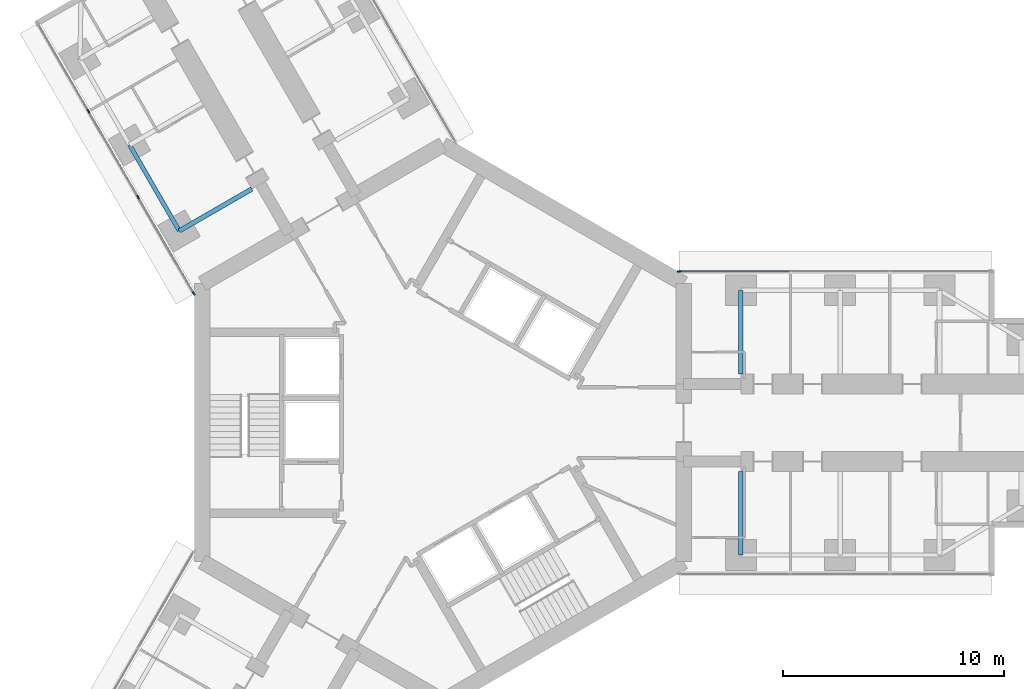
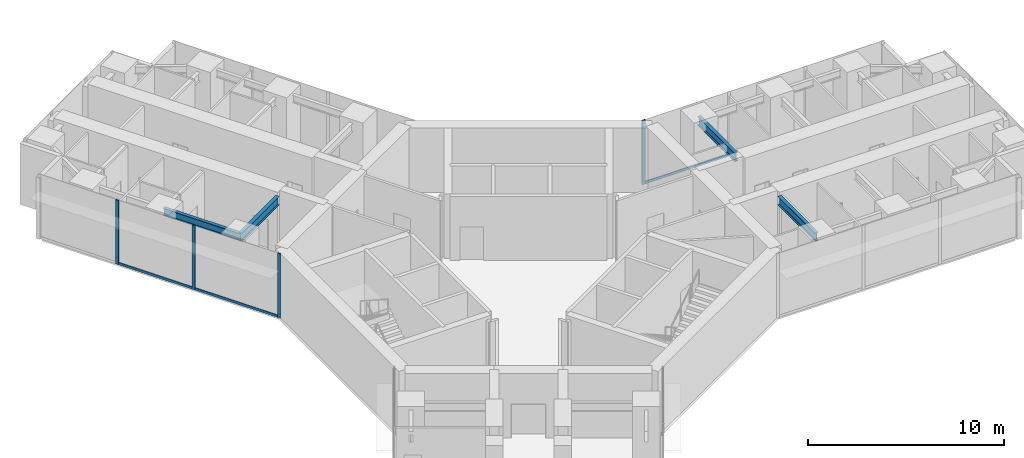
# One storey, part 6 of 25: 7 members, 4 beams, 2 elements without a shape of their own.
"""IFC4 building model written with IfcOpenShell, lengths in metres."""

from ifc_helpers import new_model, si_unit, direction, frame, origin, origin_2d, place, context, subcontext, project, spatial, rectangle, i_section, extrude, material, material_profile, profile_set, type_object, element, aggregate, save


model = new_model("IFC4")

# Units and contexts
model_context = context("Model", 3, precision=1e-05, world=origin(), true_north=direction((0.0, 1.0)))
body_context = subcontext(model_context, "Body", "Model", "MODEL_VIEW")
ifc_project = project(units=[si_unit("LENGTHUNIT", "METRE"), si_unit("AREAUNIT", "SQUARE_METRE"), si_unit("VOLUMEUNIT", "CUBIC_METRE"), si_unit("PLANEANGLEUNIT", "RADIAN"), si_unit("MASSUNIT", "GRAM", prefix="KILO")], contexts=[model_context])

# Site, building, storey
site_placement = place(None, origin())
site = spatial("IfcSite", under=ifc_project, at=site_placement, CompositionType="ELEMENT")
building_placement = place(site_placement, origin())
building = spatial("IfcBuilding", under=site, at=building_placement, Name="Upepo Twin Towers", CompositionType="ELEMENT")
storey_placement = place(building_placement, frame((0.0, 0.0, 72.5)))
storey = spatial("IfcBuildingStorey", under=building, at=storey_placement, Name="L17", CompositionType="ELEMENT", Elevation=72.5)

# Beams
ifc_material_1 = material(Name="Steel S355", Category="steel")
ifc_material_profile_1 = material_profile(ifc_material_1, i_section(OverallWidth=0.1904296875, OverallDepth=0.45703125, WebThickness=0.009033203125, FlangeThickness=0.014404296875, FilletRadius=0.01025390625, at=origin_2d()), Name="UB 457x191x74")
ifc_profile_set_1 = profile_set([ifc_material_profile_1], Name="Steel S355")
beam_type_1 = type_object("IfcBeamType", Name="Beam UB 457x191x74", PredefinedType="BEAM", material=ifc_profile_set_1)
beam_1_placement = place(storey_placement, frame((-11.946044921875, 8.69140625, 3.571533203125), z_axis=(-0.500013631625, 0.866017533419, 0.0), x_axis=(-0.866017533419, -0.500013631625, 0.0)))
element("IfcBeam", 1, at=beam_1_placement, inside=storey, type_object=beam_type_1, Name="T1 edge beam BL 13.5-18.0", PredefinedType="BEAM", context=body_context, shape_type="SweptSolid", body=[
    extrude(i_section(OverallWidth=0.1904296875, OverallDepth=0.45703125, WebThickness=0.009033203125, FlangeThickness=0.014404296875, FilletRadius=0.01025390625, at=origin_2d()), origin(), (0.0, 0.0, 1.0), 4.499755859375),
])
ifc_material_2 = material(Name="Steel S355", Category="steel")
ifc_material_profile_2 = material_profile(ifc_material_2, i_section(OverallWidth=0.209228515625, OverallDepth=0.533203125, WebThickness=0.010009765625, FlangeThickness=0.015625, FilletRadius=0.0126953125, at=origin_2d()), Name="UB 533x210x92")
ifc_profile_set_2 = profile_set([ifc_material_profile_2], Name="Steel S355")
beam_type_2 = type_object("IfcBeamType", Name="Beam UB 533x210x92", PredefinedType="BEAM", material=ifc_profile_set_2)
for number, where, z_axis, x_axis, name in (
    (2, (13.5, 6.0, 3.533447265625), (0.0, -1.0, 0.0), (1.0, 0.0, 0.0), "T1 girder AL at 13.5"),
    (3, (13.5, -6.0, 3.533447265625), (0.0, 1.0, 0.0), (-1.0, 0.0, 0.0), "T1 girder AR at 13.5"),
):
    element("IfcBeam", number, at=place(storey_placement, frame(where, z_axis=z_axis, x_axis=x_axis)), inside=storey, type_object=beam_type_2, Name=name, PredefinedType="BEAM", context=body_context, shape_type="SweptSolid", body=[
        extrude(i_section(OverallWidth=0.209228515625, OverallDepth=0.533203125, WebThickness=0.010009765625, FlangeThickness=0.015625, FilletRadius=0.0126953125, at=origin_2d()), origin(), (0.0, 0.0, 1.0), 3.800048828125),
    ])
beam_2_placement = place(storey_placement, frame((-11.946044921875, 8.69140625, 3.533447265625), z_axis=(0.866028304915, 0.499994975061, 0.0), x_axis=(-0.499994975061, 0.866028304915, 0.0)))
element("IfcBeam", 4, at=beam_2_placement, inside=storey, type_object=beam_type_2, Name="T1 girder BL at 13.5", PredefinedType="BEAM", context=body_context, shape_type="SweptSolid", body=[
    extrude(i_section(OverallWidth=0.209228515625, OverallDepth=0.533203125, WebThickness=0.010009765625, FlangeThickness=0.015625, FilletRadius=0.0126953125, at=origin_2d()), origin(), (0.0, 0.0, 1.0), 3.7998046875),
])

# Curtain wall, member
ifc_material_3 = material(Name="Aluminium and fritted glass", Category="aluminium")
curtain_wall_type = type_object("IfcCurtainWallType", Name="Tower curtain wall TW1, fritted glass", PredefinedType="NOTDEFINED", material=ifc_material_3)
curtain_wall_1_placement = place(storey_placement, origin())
curtain_wall_1 = element("IfcCurtainWall", 5, at=curtain_wall_1_placement, inside=storey, type_object=curtain_wall_type, Name="T1 L17 wing A flank L curtain wall", PredefinedType="NOTDEFINED")
ifc_material_4 = material(Name="Aluminium mullion", Category="aluminium")
ifc_material_profile_3 = material_profile(ifc_material_4, rectangle(XDim=0.06494140625, YDim=0.179931640625, at=origin_2d()), Name="MULLION 65x180")
ifc_profile_set_3 = profile_set([ifc_material_profile_3], Name="Aluminium mullion")
member_type_1 = type_object("IfcMemberType", Name="Mullion 65x180 TW1", PredefinedType="MULLION", material=ifc_profile_set_3)
member_1_placement = place(storey_placement, frame((10.7197265625, 6.85009765625, 0.0), z_axis=(0.0, 0.0, 1.0), x_axis=(0.0, 1.0, 0.0)))
member_1 = element("IfcMember", 6, at=member_1_placement, type_object=member_type_1, Name="T1 L17 wing A flank L curtain wall mullion 1", PredefinedType="MULLION", context=body_context, shape_type="SweptSolid", body=[
    extrude(rectangle(XDim=0.06494140625, YDim=0.179931640625, at=origin_2d()), origin(), (0.0, 0.0, 1.0), 4.0),
])

# Curtain wall, members
curtain_wall_2_placement = place(storey_placement, origin())
curtain_wall_2 = element("IfcCurtainWall", 7, at=curtain_wall_2_placement, inside=storey, type_object=curtain_wall_type, Name="T1 L17 wing B flank L curtain wall", PredefinedType="NOTDEFINED")
member_2_placement = place(storey_placement, frame((-11.2919921875, 5.8583984375, 0.0), z_axis=(0.0, 0.0, 1.0), x_axis=(-0.866025389682, -0.500000024426, 0.0)))
member_2 = element("IfcMember", 8, at=member_2_placement, type_object=member_type_1, Name="T1 L17 wing B flank L curtain wall mullion 1", PredefinedType="MULLION", context=body_context, shape_type="SweptSolid", body=[
    extrude(rectangle(XDim=0.06494140625, YDim=0.179931640625, at=origin_2d()), origin(), (0.0, 0.0, 1.0), 4.0),
])
member_3_placement = place(storey_placement, frame((-13.807373046875, 10.21484375, 0.0), z_axis=(0.0, 0.0, 1.0), x_axis=(-0.866025389682, -0.500000024426, 0.0)))
member_3 = element("IfcMember", 9, at=member_3_placement, type_object=member_type_1, Name="T1 L17 wing B flank L curtain wall mullion 2", PredefinedType="MULLION", context=body_context, shape_type="SweptSolid", body=[
    extrude(rectangle(XDim=0.06494140625, YDim=0.179931640625, at=origin_2d()), origin(), (0.0, 0.0, 1.0), 4.0),
])
member_4_placement = place(storey_placement, frame((-16.057373046875, 14.112060546875, 0.0), z_axis=(0.0, 0.0, 1.0), x_axis=(-0.866025389682, -0.500000024426, 0.0)))
member_4 = element("IfcMember", 10, at=member_4_placement, type_object=member_type_1, Name="T1 L17 wing B flank L curtain wall mullion 3", PredefinedType="MULLION", context=body_context, shape_type="SweptSolid", body=[
    extrude(rectangle(XDim=0.06494140625, YDim=0.179931640625, at=origin_2d()), origin(), (0.0, 0.0, 1.0), 4.0),
])

# Member
ifc_material_5 = material(Name="Aluminium transom", Category="aluminium")
ifc_material_profile_4 = material_profile(ifc_material_5, rectangle(XDim=0.06494140625, YDim=0.14990234375, at=origin_2d()), Name="TRANSOM 65x150")
ifc_profile_set_4 = profile_set([ifc_material_profile_4], Name="Aluminium transom")
member_type_2 = type_object("IfcMemberType", Name="Transom 65x150 TW1", PredefinedType="USERDEFINED", material=ifc_profile_set_4)
member_5_placement = place(storey_placement, frame((10.752197265625, 6.85009765625, 0.074951171875), z_axis=(1.0, 0.0, 0.0), x_axis=(0.0, 1.0, 0.0)))
member_5 = element("IfcMember", 11, at=member_5_placement, type_object=member_type_2, Name="T1 L17 wing A flank L curtain wall transom 1", ObjectType="TRANSOM", PredefinedType="USERDEFINED", context=body_context, shape_type="SweptSolid", body=[
    extrude(rectangle(XDim=0.06494140625, YDim=0.14990234375, at=origin_2d()), origin(), (0.0, 0.0, 1.0), 4.96533203125),
])

aggregate(curtain_wall_1, [member_1, member_5])

member_6_placement = place(storey_placement, frame((-11.308349609375, 5.88671875, 0.074951171875), z_axis=(-0.50000478328, 0.866022642139, 0.0), x_axis=(-0.866022642139, -0.50000478328, 0.0)))
member_6 = element("IfcMember", 12, at=member_6_placement, type_object=member_type_2, Name="T1 L17 wing B flank L curtain wall transom 1", ObjectType="TRANSOM", PredefinedType="USERDEFINED", context=body_context, shape_type="SweptSolid", body=[
    extrude(rectangle(XDim=0.06494140625, YDim=0.14990234375, at=origin_2d()), origin(), (0.0, 0.0, 1.0), 4.96533203125),
])

member_7_placement = place(storey_placement, frame((-13.823486328125, 10.2431640625, 0.074951171875), z_axis=(-0.500005184116, 0.866022410713, 0.0), x_axis=(-0.866022410713, -0.500005184116, 0.0)))
member_7 = element("IfcMember", 13, at=member_7_placement, type_object=member_type_2, Name="T1 L17 wing B flank L curtain wall transom 2", ObjectType="TRANSOM", PredefinedType="USERDEFINED", context=body_context, shape_type="SweptSolid", body=[
    extrude(rectangle(XDim=0.06494140625, YDim=0.14990234375, at=origin_2d()), origin(), (0.0, 0.0, 1.0), 4.43505859375),
])

aggregate(curtain_wall_2, [member_2, member_3, member_4, member_6, member_7])

save(model, "model.ifc")
